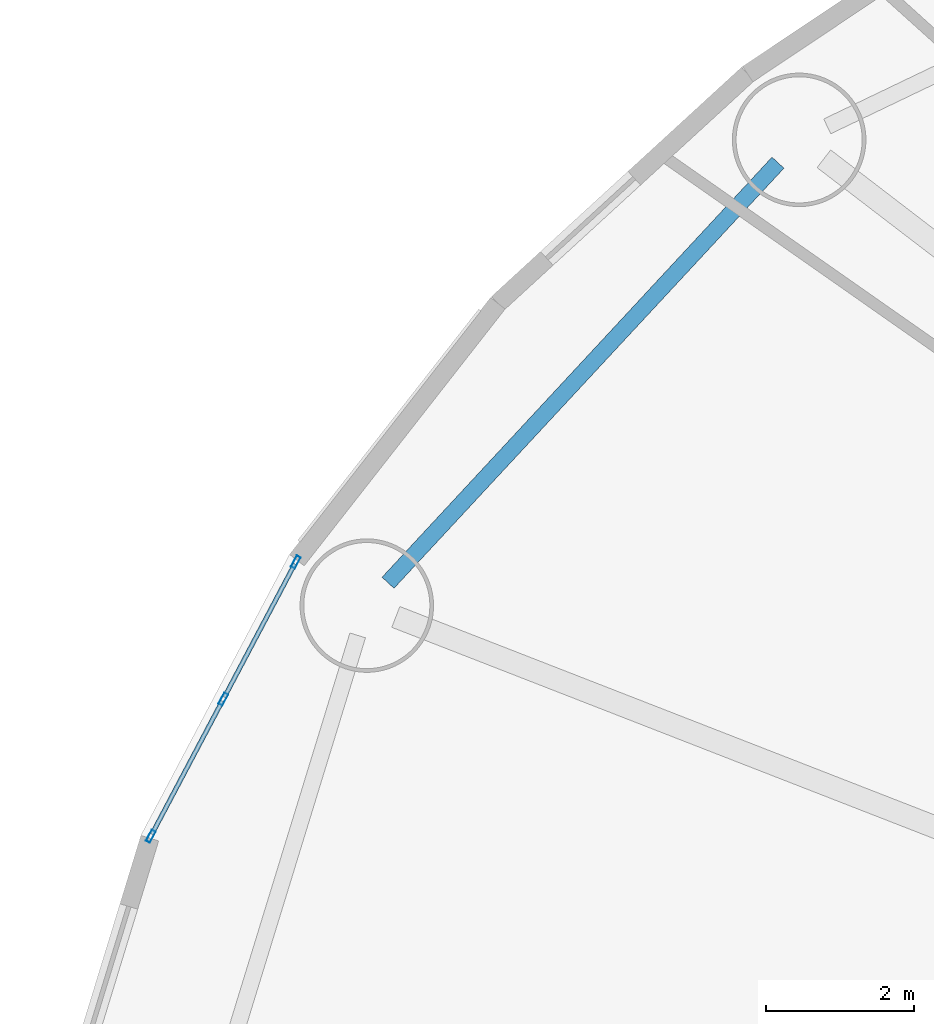
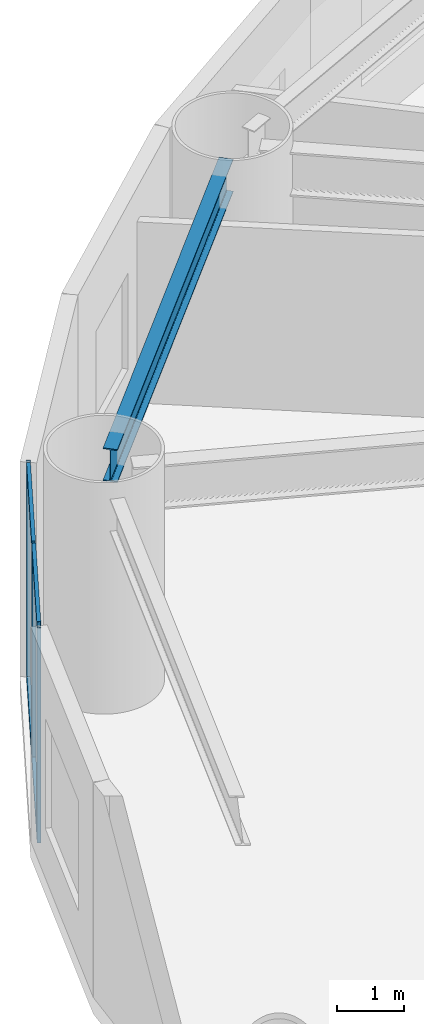
# One storey, part 8 of 30: 7 members, 1 beam, 1 element without a shape of its own.
"""IFC4 building model written with IfcOpenShell, lengths in metres."""

from ifc_helpers import new_model, si_unit, direction, frame, origin, origin_2d, place, context, subcontext, project, spatial, hollow_rectangle, i_section, extrude, source, transform, mapped, material, layer, layer_set, material_profile, profile_set, type_object, element, aggregate, save


model = new_model("IFC4")

# Units and contexts
model_context = context("Model", 3, precision=1e-05, world=origin(), true_north=direction((0.0, 1.0)))
body_context = subcontext(model_context, "Body", "Model", "MODEL_VIEW")
ifc_project = project(units=[si_unit("LENGTHUNIT", "METRE"), si_unit("AREAUNIT", "SQUARE_METRE"), si_unit("VOLUMEUNIT", "CUBIC_METRE"), si_unit("PLANEANGLEUNIT", "RADIAN"), si_unit("MASSUNIT", "GRAM", prefix="KILO")], contexts=[model_context])

# Site, building, storey
site_placement = place(None, origin())
site = spatial("IfcSite", under=ifc_project, at=site_placement, CompositionType="ELEMENT")
building_placement = place(site_placement, origin())
building = spatial("IfcBuilding", under=site, at=building_placement, Name="Linh Dai School and Residence Tower", CompositionType="ELEMENT")
storey_placement = place(building_placement, frame((0.0, 0.0, 10.199951171875)))
storey = spatial("IfcBuildingStorey", under=building, at=storey_placement, Name="L02", CompositionType="ELEMENT", Elevation=10.199951171875)

# Beam
ifc_material_1 = material(Name="Structural Steel S355JR", Category="steel")
ifc_material_profile_1 = material_profile(ifc_material_1, i_section(OverallWidth=0.219970703125, OverallDepth=0.60009765625, WebThickness=0.011962890625, FlangeThickness=0.01904296875, FilletRadius=0.02392578125, at=origin_2d()), Name="IPE 600")
ifc_profile_set_1 = profile_set([ifc_material_profile_1], Name="Structural Steel S355JR")
beam_type = type_object("IfcBeamType", Name="BM-RB60", PredefinedType="BEAM", material=ifc_profile_set_1)
beam_placement = place(storey_placement, frame((13.009033203125, 44.0927734375, 3.60009765625), z_axis=(-0.680345653715, -0.73289139132, 0.0), x_axis=(0.73289139132, -0.680345653715, 0.0)))
element("IfcBeam", 1, at=beam_placement, inside=storey, type_object=beam_type, Name="L02 Perimeter Elliptical Ring Beam 07", PredefinedType="BEAM", context=body_context, shape_type="SweptSolid", body=[
    extrude(i_section(OverallWidth=0.219970703125, OverallDepth=0.60009765625, WebThickness=0.011962890625, FlangeThickness=0.01904296875, FilletRadius=0.02392578125, at=origin_2d()), origin(), (0.0, 0.0, 1.0), 7.726806640625),
])

# Curtain wall, members
ifc_material_2 = material(Name="Aluminium Anodised Curtain Wall", Category="aluminium")
ifc_layer = layer(ifc_material_2, 0.169921875)
ifc_layer_set = layer_set([ifc_layer], Name="Aluminium Anodised Curtain Wall")
curtain_wall_type = type_object("IfcCurtainWallType", Name="CW-SYS-2", PredefinedType="USERDEFINED", material=ifc_layer_set)
curtain_wall_placement = place(storey_placement, origin())
curtain_wall = element("IfcCurtainWall", 2, at=curtain_wall_placement, inside=storey, type_object=curtain_wall_type, Name="L02 CW2 Curtain Wall 18", ObjectType="UNITISED CURTAIN WALL", PredefinedType="USERDEFINED")
ifc_material_3 = material(Name="Aluminium Alloy 6063-T6", Category="aluminium")
ifc_material_profile_2 = material_profile(ifc_material_3, hollow_rectangle(XDim=0.06005859375, YDim=0.1298828125, WallThickness=0.00390625, at=origin_2d()), Name="RHS 130x60x4")
ifc_profile_set_2 = profile_set([ifc_material_profile_2], Name="Aluminium Alloy 6063-T6")
member_type_1 = type_object("IfcMemberType", Name="CW-SYS-2-TRN", PredefinedType="USERDEFINED", material=ifc_profile_set_2)
shared_shape_1 = source(origin(), body_context, "Body", "SweptSolid", [
    extrude(hollow_rectangle(XDim=0.06005859375, YDim=0.1298828125, WallThickness=0.00390625, at=origin_2d()), origin(), (0.0, 0.0, 1.0), 2.030517578125),
])
member_1_placement = place(storey_placement, frame((4.568359375, 35.03955078125, 0.030029296875), z_axis=(0.467583862208, 0.883948715596, 0.0), x_axis=(-0.883948715596, 0.467583862208, 0.0)))
member_1 = element("IfcMember", 3, at=member_1_placement, type_object=member_type_1, Name="CW2 transom 1.1", ObjectType="TRANSOM", PredefinedType="USERDEFINED", context=body_context, shape_type="MappedRepresentation", body=[
    mapped(shared_shape_1, transform((0.0, 0.0, 0.0), x_axis=(1.0, 0.0, 0.0), y_axis=(0.0, 1.0, 0.0), z_axis=(0.0, 0.0, 1.0), scale=1.0)),
])
member_2_placement = place(storey_placement, frame((4.568359375, 35.03955078125, 3.8701171875), z_axis=(0.467583862208, 0.883948715596, 0.0), x_axis=(-0.883948715596, 0.467583862208, 0.0)))
member_2 = element("IfcMember", 4, at=member_2_placement, type_object=member_type_1, Name="CW2 transom 1.2", ObjectType="TRANSOM", PredefinedType="USERDEFINED", context=body_context, shape_type="MappedRepresentation", body=[
    mapped(shared_shape_1, transform((0.0, 0.0, 0.0), x_axis=(1.0, 0.0, 0.0), y_axis=(0.0, 1.0, 0.0), z_axis=(0.0, 0.0, 1.0), scale=1.0)),
])
member_3_placement = place(storey_placement, frame((5.5458984375, 36.8876953125, 0.030029296875), z_axis=(0.467583862208, 0.883948715596, 0.0), x_axis=(-0.883948715596, 0.467583862208, 0.0)))
member_3 = element("IfcMember", 5, at=member_3_placement, type_object=member_type_1, Name="CW2 transom 2.1", ObjectType="TRANSOM", PredefinedType="USERDEFINED", context=body_context, shape_type="MappedRepresentation", body=[
    mapped(shared_shape_1, transform((0.0, 0.0, 0.0), x_axis=(1.0, 0.0, 0.0), y_axis=(0.0, 1.0, 0.0), z_axis=(0.0, 0.0, 1.0), scale=1.0)),
])
member_4_placement = place(storey_placement, frame((5.5458984375, 36.8876953125, 3.8701171875), z_axis=(0.467583862208, 0.883948715596, 0.0), x_axis=(-0.883948715596, 0.467583862208, 0.0)))
member_4 = element("IfcMember", 6, at=member_4_placement, type_object=member_type_1, Name="CW2 transom 2.2", ObjectType="TRANSOM", PredefinedType="USERDEFINED", context=body_context, shape_type="MappedRepresentation", body=[
    mapped(shared_shape_1, transform((0.0, 0.0, 0.0), x_axis=(1.0, 0.0, 0.0), y_axis=(0.0, 1.0, 0.0), z_axis=(0.0, 0.0, 1.0), scale=1.0)),
])
ifc_material_profile_3 = material_profile(ifc_material_3, hollow_rectangle(XDim=0.06005859375, YDim=0.169921875, WallThickness=0.00390625, at=origin_2d()), Name="RHS 170x60x4")
ifc_profile_set_3 = profile_set([ifc_material_profile_3], Name="Aluminium Alloy 6063-T6")
member_type_2 = type_object("IfcMemberType", Name="CW-SYS-2-MUL", PredefinedType="MULLION", material=ifc_profile_set_3)
shared_shape_2 = source(origin(), body_context, "Body", "SweptSolid", [
    extrude(hollow_rectangle(XDim=0.06005859375, YDim=0.169921875, WallThickness=0.00390625, at=origin_2d()), origin(), (0.0, 0.0, 1.0), 3.900146484375),
])
member_5_placement = place(storey_placement, frame((4.554443359375, 35.012939453125, 0.0), z_axis=(0.0, 0.0, 1.0), x_axis=(-0.883963927118, 0.467555104298, 0.0)))
member_5 = element("IfcMember", 7, at=member_5_placement, type_object=member_type_2, Name="CW2 mullion 1", PredefinedType="MULLION", context=body_context, shape_type="MappedRepresentation", body=[
    mapped(shared_shape_2, transform((0.0, 0.0, 0.0), x_axis=(1.0, 0.0, 0.0), y_axis=(0.0, 1.0, 0.0), z_axis=(0.0, 0.0, 1.0), scale=1.0)),
])
member_6_placement = place(storey_placement, frame((5.531982421875, 36.861083984375, 0.0), z_axis=(0.0, 0.0, 1.0), x_axis=(-0.883963927118, 0.467555104298, 0.0)))
member_6 = element("IfcMember", 8, at=member_6_placement, type_object=member_type_2, Name="CW2 mullion 2", PredefinedType="MULLION", context=body_context, shape_type="MappedRepresentation", body=[
    mapped(shared_shape_2, transform((0.0, 0.0, 0.0), x_axis=(1.0, 0.0, 0.0), y_axis=(0.0, 1.0, 0.0), z_axis=(0.0, 0.0, 1.0), scale=1.0)),
])
member_7_placement = place(storey_placement, frame((6.50927734375, 38.708984375, 0.0), z_axis=(0.0, 0.0, 1.0), x_axis=(-0.883963927118, 0.467555104298, 0.0)))
member_7 = element("IfcMember", 9, at=member_7_placement, type_object=member_type_2, Name="CW2 mullion 3", PredefinedType="MULLION", context=body_context, shape_type="MappedRepresentation", body=[
    mapped(shared_shape_2, transform((0.0, 0.0, 0.0), x_axis=(1.0, 0.0, 0.0), y_axis=(0.0, 1.0, 0.0), z_axis=(0.0, 0.0, 1.0), scale=1.0)),
])
aggregate(curtain_wall, [member_5, member_6, member_7, member_1, member_2, member_3, member_4])

save(model, "model.ifc")
